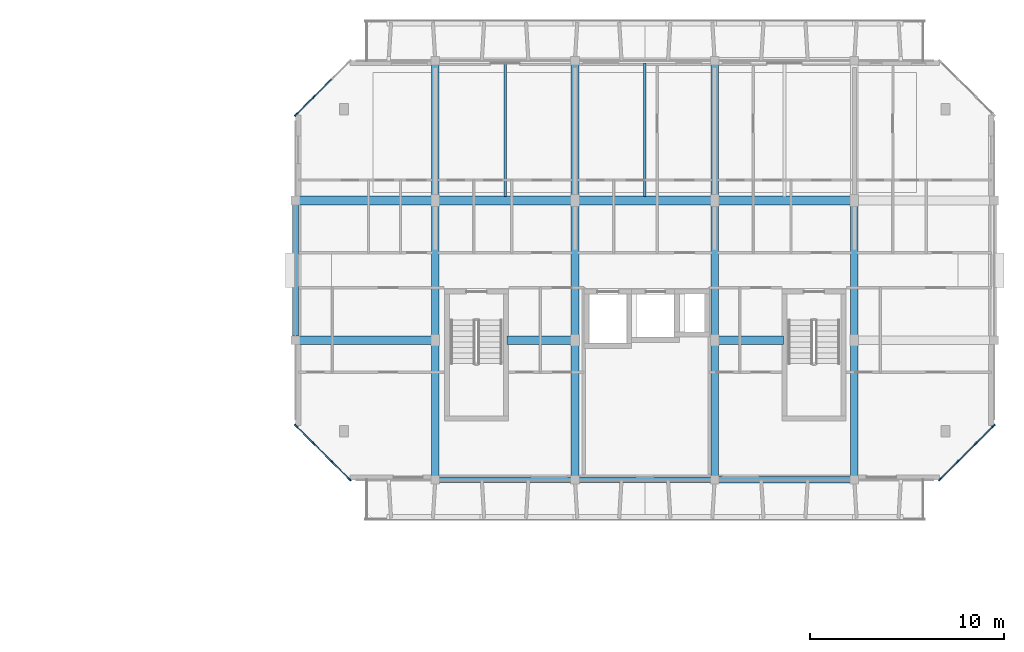
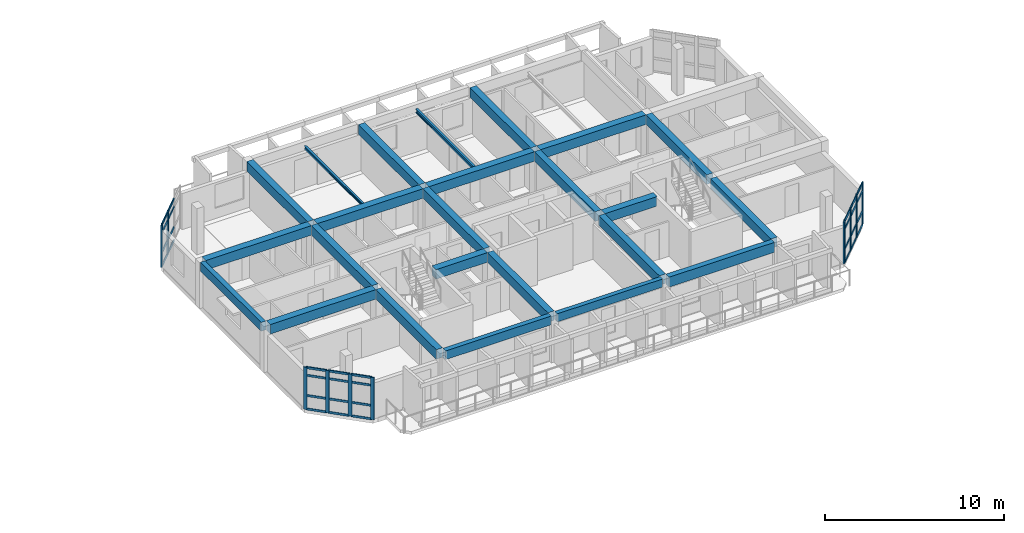
# One storey, part 7 of 30: 42 members, 24 beams, 3 elements without a shape of their own.
"""IFC4 building model written with IfcOpenShell, lengths in metres."""

from ifc_helpers import new_model, si_unit, direction, frame, origin, origin_2d, place, context, subcontext, project, spatial, rectangle, i_section, extrude, material, layer, layer_set, material_profile, profile_set, type_object, element, aggregate, save


model = new_model("IFC4")

# Units and contexts
model_context = context("Model", 3, precision=1e-05, world=origin(), true_north=direction((0.0, 1.0)))
body_context = subcontext(model_context, "Body", "Model", "MODEL_VIEW")
ifc_project = project(units=[si_unit("LENGTHUNIT", "METRE"), si_unit("AREAUNIT", "SQUARE_METRE"), si_unit("VOLUMEUNIT", "CUBIC_METRE"), si_unit("PLANEANGLEUNIT", "RADIAN"), si_unit("MASSUNIT", "GRAM", prefix="KILO")], contexts=[model_context])

# Site, building, storey
site_placement = place(None, origin())
site = spatial("IfcSite", under=ifc_project, at=site_placement, CompositionType="ELEMENT")
building_placement = place(site_placement, origin())
building = spatial("IfcBuilding", under=site, at=building_placement, Name="Ochrevale Crest", CompositionType="ELEMENT")
storey_placement = place(building_placement, frame((0.0, 0.0, 33.89990234375)))
storey = spatial("IfcBuildingStorey", under=building, at=storey_placement, Name="L10", CompositionType="ELEMENT", Elevation=33.89990234375)

# Beams
ifc_material_1 = material(Name="Precast concrete C50/60", Category="concrete")
ifc_material_profile_1 = material_profile(ifc_material_1, rectangle(XDim=0.39990234375, YDim=0.64990234375, at=origin_2d()), Name="PC 400x650")
ifc_profile_set_1 = profile_set([ifc_material_profile_1], Name="Precast concrete C50/60")
beam_type_1 = type_object("IfcBeamType", Name="BM-PC400x650", PredefinedType="BEAM", material=ifc_profile_set_1)
for number, where, z_axis, x_axis, name in (
    (1, (136.800048828125, 72.205078125, 2.8251953125), (0.0, 1.0, 0.0), (-1.0, 0.0, 0.0), "Block D L10 N-S beam X=136.8"),
    (2, (136.800048828125, 79.405029296875, 2.8251953125), (0.0, 1.0, 0.0), (-1.0, 0.0, 0.0), "Block D L10 N-S beam X=136.8"),
    (3, (136.800048828125, 86.60498046875, 2.8251953125), (0.0, 1.0, 0.0), (-1.0, 0.0, 0.0), "Block D L10 N-S beam X=136.8"),
    (4, (144.0, 72.205078125, 2.8251953125), (0.0, 1.0, 0.0), (-1.0, 0.0, 0.0), "Block D L10 N-S beam X=144.0"),
    (5, (144.0, 79.405029296875, 2.8251953125), (0.0, 1.0, 0.0), (-1.0, 0.0, 0.0), "Block D L10 N-S beam X=144.0"),
    (6, (144.0, 86.60498046875, 2.8251953125), (0.0, 1.0, 0.0), (-1.0, 0.0, 0.0), "Block D L10 N-S beam X=144.0"),
    (7, (151.199951171875, 72.205078125, 2.8251953125), (0.0, 1.0, 0.0), (-1.0, 0.0, 0.0), "Block D L10 N-S beam X=151.2"),
    (8, (151.199951171875, 79.405029296875, 2.8251953125), (0.0, 1.0, 0.0), (-1.0, 0.0, 0.0), "Block D L10 N-S beam X=151.2"),
    (9, (151.199951171875, 86.60498046875, 2.8251953125), (0.0, 1.0, 0.0), (-1.0, 0.0, 0.0), "Block D L10 N-S beam X=151.2"),
    (10, (158.39990234375, 72.205078125, 2.8251953125), (0.0, 1.0, 0.0), (-1.0, 0.0, 0.0), "Block D L10 N-S beam X=158.4"),
    (11, (158.39990234375, 79.405029296875, 2.8251953125), (0.0, 1.0, 0.0), (-1.0, 0.0, 0.0), "Block D L10 N-S beam X=158.4"),
):
    element("IfcBeam", number, at=place(storey_placement, frame(where, z_axis=z_axis, x_axis=x_axis)), inside=storey, type_object=beam_type_1, Name=name, PredefinedType="BEAM", context=body_context, shape_type="SweptSolid", body=[
        extrude(rectangle(XDim=0.39990234375, YDim=0.64990234375, at=origin_2d()), origin(), (0.0, 0.0, 1.0), 6.7900390625),
    ])
ifc_material_2 = material(Name="Concrete C50/60", Category="concrete")
ifc_material_profile_2 = material_profile(ifc_material_2, rectangle(XDim=0.449951171875, YDim=0.64990234375, at=origin_2d()), Name="RC 450x650")
ifc_profile_set_2 = profile_set([ifc_material_profile_2], Name="Concrete C50/60")
beam_type_2 = type_object("IfcBeamType", Name="BM-PG450x650", PredefinedType="USERDEFINED", material=ifc_profile_set_2)
beam_1_placement = place(storey_placement, frame((129.800048828125, 79.199951171875, 2.8251953125), z_axis=(1.0, 0.0, 0.0), x_axis=(0.0, 1.0, 0.0)))
element("IfcBeam", 12, at=beam_1_placement, inside=storey, type_object=beam_type_2, Name="Block D L10 E-W beam Y=79.2", ObjectType="GIRDER", PredefinedType="USERDEFINED", context=body_context, shape_type="SweptSolid", body=[
    extrude(rectangle(XDim=0.449951171875, YDim=0.64990234375, at=origin_2d()), origin(), (0.0, 0.0, 1.0), 6.800048828125),
])
beam_2_placement = place(storey_placement, frame((140.489990234375, 79.199951171875, 2.8251953125), z_axis=(1.0, 0.0, 0.0), x_axis=(0.0, 1.0, 0.0)))
element("IfcBeam", 13, at=beam_2_placement, inside=storey, type_object=beam_type_2, Name="Block D L10 E-W beam Y=79.2", ObjectType="GIRDER", PredefinedType="USERDEFINED", context=body_context, shape_type="SweptSolid", body=[
    extrude(rectangle(XDim=0.449951171875, YDim=0.64990234375, at=origin_2d()), origin(), (0.0, 0.0, 1.0), 3.31005859375),
])
beam_3_placement = place(storey_placement, frame((151.39990234375, 79.199951171875, 2.8251953125), z_axis=(1.0, 0.0, 0.0), x_axis=(0.0, 1.0, 0.0)))
element("IfcBeam", 14, at=beam_3_placement, inside=storey, type_object=beam_type_2, Name="Block D L10 E-W beam Y=79.2", ObjectType="GIRDER", PredefinedType="USERDEFINED", context=body_context, shape_type="SweptSolid", body=[
    extrude(rectangle(XDim=0.449951171875, YDim=0.64990234375, at=origin_2d()), origin(), (0.0, 0.0, 1.0), 3.360107421875),
])
for number, where, z_axis, x_axis, name in (
    (15, (129.800048828125, 86.39990234375, 2.8251953125), (1.0, 0.0, 0.0), (0.0, 1.0, 0.0), "Block D L10 E-W beam Y=86.4"),
    (16, (137.0, 86.39990234375, 2.8251953125), (1.0, 0.0, 0.0), (0.0, 1.0, 0.0), "Block D L10 E-W beam Y=86.4"),
    (17, (144.199951171875, 86.39990234375, 2.8251953125), (1.0, 0.0, 0.0), (0.0, 1.0, 0.0), "Block D L10 E-W beam Y=86.4"),
    (18, (151.39990234375, 86.39990234375, 2.8251953125), (1.0, 0.0, 0.0), (0.0, 1.0, 0.0), "Block D L10 E-W beam Y=86.4"),
):
    element("IfcBeam", number, at=place(storey_placement, frame(where, z_axis=z_axis, x_axis=x_axis)), inside=storey, type_object=beam_type_2, Name=name, ObjectType="GIRDER", PredefinedType="USERDEFINED", context=body_context, shape_type="SweptSolid", body=[
        extrude(rectangle(XDim=0.449951171875, YDim=0.64990234375, at=origin_2d()), origin(), (0.0, 0.0, 1.0), 6.800048828125),
    ])
ifc_material_3 = material(Name="Precast concrete C40/50", Category="concrete")
ifc_material_profile_3 = material_profile(ifc_material_3, rectangle(XDim=0.280029296875, YDim=0.550048828125, at=origin_2d()), Name="PC 280x550")
ifc_profile_set_3 = profile_set([ifc_material_profile_3], Name="Precast concrete C40/50")
beam_type_3 = type_object("IfcBeamType", Name="BM-SP280x550", PredefinedType="SPANDREL", material=ifc_profile_set_3)
beam_4_placement = place(storey_placement, frame((144.199951171875, 72.0, 2.875), z_axis=(1.0, 0.0, 0.0), x_axis=(0.0, 1.0, 0.0)))
element("IfcBeam", 19, at=beam_4_placement, inside=storey, type_object=beam_type_3, Name="Block D L10 E-W beam Y=72.0", PredefinedType="SPANDREL", context=body_context, shape_type="SweptSolid", body=[
    extrude(rectangle(XDim=0.280029296875, YDim=0.550048828125, at=origin_2d()), origin(), (0.0, 0.0, 1.0), 6.800048828125),
])
ifc_material_profile_4 = material_profile(ifc_material_3, rectangle(XDim=0.300048828125, YDim=0.60009765625, at=origin_2d()), Name="PC 300x600")
ifc_profile_set_4 = profile_set([ifc_material_profile_4], Name="Precast concrete C40/50")
beam_type_4 = type_object("IfcBeamType", Name="BM-SP300x600", PredefinedType="SPANDREL", material=ifc_profile_set_4)
beam_5_placement = place(storey_placement, frame((137.0, 72.0, 2.85009765625), z_axis=(1.0, 0.0, 0.0), x_axis=(0.0, 1.0, 0.0)))
element("IfcBeam", 20, at=beam_5_placement, inside=storey, type_object=beam_type_4, Name="Block D L10 E-W beam Y=72.0", PredefinedType="SPANDREL", context=body_context, shape_type="SweptSolid", body=[
    extrude(rectangle(XDim=0.300048828125, YDim=0.60009765625, at=origin_2d()), origin(), (0.0, 0.0, 1.0), 6.800048828125),
])
beam_6_placement = place(storey_placement, frame((129.60009765625, 79.405029296875, 2.85009765625), z_axis=(0.0, 1.0, 0.0), x_axis=(-1.0, 0.0, 0.0)))
element("IfcBeam", 21, at=beam_6_placement, inside=storey, type_object=beam_type_4, Name="Block D L10 N-S beam X=129.6", PredefinedType="SPANDREL", context=body_context, shape_type="SweptSolid", body=[
    extrude(rectangle(XDim=0.300048828125, YDim=0.60009765625, at=origin_2d()), origin(), (0.0, 0.0, 1.0), 6.7900390625),
])
ifc_material_profile_5 = material_profile(ifc_material_3, rectangle(XDim=0.35009765625, YDim=0.679931640625, at=origin_2d()), Name="PC 350x680")
ifc_profile_set_5 = profile_set([ifc_material_profile_5], Name="Precast concrete C40/50")
beam_type_5 = type_object("IfcBeamType", Name="BM-SP350x680", PredefinedType="SPANDREL", material=ifc_profile_set_5)
beam_7_placement = place(storey_placement, frame((151.39990234375, 72.0, 2.81005859375), z_axis=(1.0, 0.0, 0.0), x_axis=(0.0, 1.0, 0.0)))
element("IfcBeam", 22, at=beam_7_placement, inside=storey, type_object=beam_type_5, Name="Block D L10 E-W beam Y=72.0", PredefinedType="SPANDREL", context=body_context, shape_type="SweptSolid", body=[
    extrude(rectangle(XDim=0.35009765625, YDim=0.679931640625, at=origin_2d()), origin(), (0.0, 0.0, 1.0), 6.800048828125),
])
ifc_material_4 = material(Name="Steel S355", Category="steel")
ifc_material_profile_6 = material_profile(ifc_material_4, i_section(OverallWidth=0.134033203125, OverallDepth=0.20703125, WebThickness=0.00634765625, FlangeThickness=0.009521484375, FilletRadius=0.0087890625, at=origin_2d()), Name="200UB29.8")
ifc_profile_set_6 = profile_set([ifc_material_profile_6], Name="Steel S355")
beam_type_6 = type_object("IfcBeamType", Name="BM-UB200B", PredefinedType="JOIST", material=ifc_profile_set_6)
beam_8_placement = place(storey_placement, frame((140.39990234375, 86.613037109375, 2.771484375), z_axis=(0.0, 1.0, 0.0), x_axis=(-1.0, 0.0, 0.0)))
element("IfcBeam", 23, at=beam_8_placement, inside=storey, type_object=beam_type_6, Name="Block D L10 composite plank trimmer beam 2", PredefinedType="JOIST", context=body_context, shape_type="SweptSolid", body=[
    extrude(i_section(OverallWidth=0.134033203125, OverallDepth=0.20703125, WebThickness=0.00634765625, FlangeThickness=0.009521484375, FilletRadius=0.0087890625, at=origin_2d()), origin(), (0.0, 0.0, 1.0), 6.848876953125),
])
ifc_material_profile_7 = material_profile(ifc_material_4, i_section(OverallWidth=0.14599609375, OverallDepth=0.251708984375, WebThickness=0.006103515625, FlangeThickness=0.008544921875, FilletRadius=0.0087890625, at=origin_2d()), Name="250UB31.4")
ifc_profile_set_7 = profile_set([ifc_material_profile_7], Name="Steel S355")
beam_type_7 = type_object("IfcBeamType", Name="BM-UB250A", PredefinedType="JOIST", material=ifc_profile_set_7)
beam_9_placement = place(storey_placement, frame((147.60009765625, 86.613037109375, 2.749267578125), z_axis=(0.0, 1.0, 0.0), x_axis=(-1.0, 0.0, 0.0)))
element("IfcBeam", 24, at=beam_9_placement, inside=storey, type_object=beam_type_7, Name="Block D L10 composite plank trimmer beam 3", PredefinedType="JOIST", context=body_context, shape_type="SweptSolid", body=[
    extrude(i_section(OverallWidth=0.14599609375, OverallDepth=0.251708984375, WebThickness=0.006103515625, FlangeThickness=0.008544921875, FilletRadius=0.0087890625, at=origin_2d()), origin(), (0.0, 0.0, 1.0), 6.85888671875),
])

# Curtain wall, members
ifc_material_5 = material(Name="Anodised aluminium 6063-T5", Category="aluminium")
ifc_layer_1 = layer(ifc_material_5, 0.14990234375)
ifc_layer_set_1 = layer_set([ifc_layer_1], Name="Anodised aluminium 6063-T5")
curtain_wall_type_1 = type_object("IfcCurtainWallType", Name="CW-WG-320x285", PredefinedType="NOTDEFINED", material=ifc_layer_set_1)
curtain_wall_1_placement = place(storey_placement, origin())
curtain_wall_1 = element("IfcCurtainWall", 25, at=curtain_wall_1_placement, inside=storey, type_object=curtain_wall_type_1, Name="Block D L10 chamfered corner wintergarden curtain wall 2", PredefinedType="NOTDEFINED")
ifc_material_profile_8 = material_profile(ifc_material_5, rectangle(XDim=0.074951171875, YDim=0.219970703125, at=origin_2d()), Name="ALU 75x220")
ifc_profile_set_8 = profile_set([ifc_material_profile_8], Name="Anodised aluminium 6063-T5")
member_type_1 = type_object("IfcMemberType", Name="CW-MUL-75x220", PredefinedType="MULLION", material=ifc_profile_set_8)
member_1_placement = place(storey_placement, frame((162.826416015625, 72.026611328125, 0.0), z_axis=(0.0, 0.0, 1.0), x_axis=(-0.707106781187, 0.707106781187, 0.0)))
member_1 = element("IfcMember", 26, at=member_1_placement, type_object=member_type_1, Name="CW17 mullion 1", PredefinedType="MULLION", context=body_context, shape_type="SweptSolid", body=[
    extrude(rectangle(XDim=0.074951171875, YDim=0.219970703125, at=origin_2d()), origin(), (0.0, 0.0, 1.0), 2.875),
])
member_2_placement = place(storey_placement, frame((163.7333984375, 72.933349609375, 0.0), z_axis=(0.0, 0.0, 1.0), x_axis=(-0.707106781187, 0.707106781187, 0.0)))
member_2 = element("IfcMember", 27, at=member_2_placement, type_object=member_type_1, Name="CW17 mullion 2", PredefinedType="MULLION", context=body_context, shape_type="SweptSolid", body=[
    extrude(rectangle(XDim=0.074951171875, YDim=0.219970703125, at=origin_2d()), origin(), (0.0, 0.0, 1.0), 2.875),
])
member_3_placement = place(storey_placement, frame((164.666748046875, 73.86669921875, 0.0), z_axis=(0.0, 0.0, 1.0), x_axis=(-0.707106781187, 0.707106781187, 0.0)))
member_3 = element("IfcMember", 28, at=member_3_placement, type_object=member_type_1, Name="CW17 mullion 3", PredefinedType="MULLION", context=body_context, shape_type="SweptSolid", body=[
    extrude(rectangle(XDim=0.074951171875, YDim=0.219970703125, at=origin_2d()), origin(), (0.0, 0.0, 1.0), 2.875),
])
member_4_placement = place(storey_placement, frame((165.573486328125, 74.7734375, 0.0), z_axis=(0.0, 0.0, 1.0), x_axis=(-0.707106781187, 0.707106781187, 0.0)))
member_4 = element("IfcMember", 29, at=member_4_placement, type_object=member_type_1, Name="CW17 mullion 4", PredefinedType="MULLION", context=body_context, shape_type="SweptSolid", body=[
    extrude(rectangle(XDim=0.074951171875, YDim=0.219970703125, at=origin_2d()), origin(), (0.0, 0.0, 1.0), 2.875),
])

ifc_layer_2 = layer(ifc_material_5, 0.14990234375)
ifc_layer_set_2 = layer_set([ifc_layer_2], Name="Anodised aluminium 6063-T5")
curtain_wall_type_2 = type_object("IfcCurtainWallType", Name="CW-WG-280x285", PredefinedType="NOTDEFINED", material=ifc_layer_set_2)
curtain_wall_2_placement = place(storey_placement, origin())
curtain_wall_2 = element("IfcCurtainWall", 30, at=curtain_wall_2_placement, inside=storey, type_object=curtain_wall_type_2, Name="Block D L10 chamfered corner wintergarden curtain wall 6", PredefinedType="NOTDEFINED")
member_5_placement = place(storey_placement, frame((130.533447265625, 91.7333984375, 0.0), z_axis=(0.0, 0.0, 1.0), x_axis=(0.707106781187, -0.707106781187, 0.0)))
member_5 = element("IfcMember", 31, at=member_5_placement, type_object=member_type_1, Name="CW16 mullion 3", PredefinedType="MULLION", context=body_context, shape_type="SweptSolid", body=[
    extrude(rectangle(XDim=0.074951171875, YDim=0.219970703125, at=origin_2d()), origin(), (0.0, 0.0, 1.0), 2.875),
])
member_6_placement = place(storey_placement, frame((129.62646484375, 90.826416015625, 0.0), z_axis=(0.0, 0.0, 1.0), x_axis=(0.707106781187, -0.707106781187, 0.0)))
member_6 = element("IfcMember", 32, at=member_6_placement, type_object=member_type_1, Name="CW16 mullion 4", PredefinedType="MULLION", context=body_context, shape_type="SweptSolid", body=[
    extrude(rectangle(XDim=0.074951171875, YDim=0.219970703125, at=origin_2d()), origin(), (0.0, 0.0, 1.0), 2.875),
])

ifc_layer_3 = layer(ifc_material_5, 0.14990234375)
ifc_layer_set_3 = layer_set([ifc_layer_3], Name="Anodised aluminium 6063-T5")
curtain_wall_type_3 = type_object("IfcCurtainWallType", Name="CW-WG-360x285", PredefinedType="NOTDEFINED", material=ifc_layer_set_3)
curtain_wall_3_placement = place(storey_placement, origin())
curtain_wall_3 = element("IfcCurtainWall", 33, at=curtain_wall_3_placement, inside=storey, type_object=curtain_wall_type_3, Name="Block D L10 chamfered corner wintergarden curtain wall 8", PredefinedType="NOTDEFINED")
member_7_placement = place(storey_placement, frame((129.62646484375, 74.7734375, 0.0), z_axis=(0.0, 0.0, 1.0), x_axis=(0.707106781187, 0.707106781187, 0.0)))
member_7 = element("IfcMember", 34, at=member_7_placement, type_object=member_type_1, Name="CW18 mullion 1", PredefinedType="MULLION", context=body_context, shape_type="SweptSolid", body=[
    extrude(rectangle(XDim=0.074951171875, YDim=0.219970703125, at=origin_2d()), origin(), (0.0, 0.0, 1.0), 2.875),
])
member_8_placement = place(storey_placement, frame((130.533447265625, 73.86669921875, 0.0), z_axis=(0.0, 0.0, 1.0), x_axis=(0.707106781187, 0.707106781187, 0.0)))
member_8 = element("IfcMember", 35, at=member_8_placement, type_object=member_type_1, Name="CW18 mullion 2", PredefinedType="MULLION", context=body_context, shape_type="SweptSolid", body=[
    extrude(rectangle(XDim=0.074951171875, YDim=0.219970703125, at=origin_2d()), origin(), (0.0, 0.0, 1.0), 2.875),
])
member_9_placement = place(storey_placement, frame((131.466552734375, 72.933349609375, 0.0), z_axis=(0.0, 0.0, 1.0), x_axis=(0.707106781187, 0.707106781187, 0.0)))
member_9 = element("IfcMember", 36, at=member_9_placement, type_object=member_type_1, Name="CW18 mullion 3", PredefinedType="MULLION", context=body_context, shape_type="SweptSolid", body=[
    extrude(rectangle(XDim=0.074951171875, YDim=0.219970703125, at=origin_2d()), origin(), (0.0, 0.0, 1.0), 2.875),
])
member_10_placement = place(storey_placement, frame((132.37353515625, 72.026611328125, 0.0), z_axis=(0.0, 0.0, 1.0), x_axis=(0.707106781187, 0.707106781187, 0.0)))
member_10 = element("IfcMember", 37, at=member_10_placement, type_object=member_type_1, Name="CW18 mullion 4", PredefinedType="MULLION", context=body_context, shape_type="SweptSolid", body=[
    extrude(rectangle(XDim=0.074951171875, YDim=0.219970703125, at=origin_2d()), origin(), (0.0, 0.0, 1.0), 2.875),
])

# Member
ifc_material_profile_9 = material_profile(ifc_material_5, rectangle(XDim=0.06005859375, YDim=0.14990234375, at=origin_2d()), Name="ALU 60x150")
ifc_profile_set_9 = profile_set([ifc_material_profile_9], Name="Anodised aluminium 6063-T5")
member_type_2 = type_object("IfcMemberType", Name="CW-TRN-60x150", PredefinedType="USERDEFINED", material=ifc_profile_set_9)
member_11_placement = place(storey_placement, frame((162.85302734375, 72.052978515625, 0.030029296875), z_axis=(0.707106781187, 0.707106781187, 0.0), x_axis=(-0.707106781187, 0.707106781187, 0.0)))
member_11 = element("IfcMember", 38, at=member_11_placement, type_object=member_type_2, Name="CW17 transom 1.1", ObjectType="TRANSOM", PredefinedType="USERDEFINED", context=body_context, shape_type="SweptSolid", body=[
    extrude(rectangle(XDim=0.06005859375, YDim=0.14990234375, at=origin_2d()), origin(), (0.0, 0.0, 1.0), 1.20751953125),
])

member_12_placement = place(storey_placement, frame((162.85302734375, 72.052978515625, 0.9501953125), z_axis=(0.707106781187, 0.707106781187, 0.0), x_axis=(-0.707106781187, 0.707106781187, 0.0)))
member_12 = element("IfcMember", 39, at=member_12_placement, type_object=member_type_2, Name="CW17 transom 1.2", ObjectType="TRANSOM", PredefinedType="USERDEFINED", context=body_context, shape_type="SweptSolid", body=[
    extrude(rectangle(XDim=0.06005859375, YDim=0.14990234375, at=origin_2d()), origin(), (0.0, 0.0, 1.0), 1.20751953125),
])

member_13_placement = place(storey_placement, frame((162.85302734375, 72.052978515625, 2.3251953125), z_axis=(0.707106781187, 0.707106781187, 0.0), x_axis=(-0.707106781187, 0.707106781187, 0.0)))
member_13 = element("IfcMember", 40, at=member_13_placement, type_object=member_type_2, Name="CW17 transom 1.3", ObjectType="TRANSOM", PredefinedType="USERDEFINED", context=body_context, shape_type="SweptSolid", body=[
    extrude(rectangle(XDim=0.06005859375, YDim=0.14990234375, at=origin_2d()), origin(), (0.0, 0.0, 1.0), 1.20751953125),
])

member_14_placement = place(storey_placement, frame((162.85302734375, 72.052978515625, 2.84521484375), z_axis=(0.707106781187, 0.707106781187, 0.0), x_axis=(-0.707106781187, 0.707106781187, 0.0)))
member_14 = element("IfcMember", 41, at=member_14_placement, type_object=member_type_2, Name="CW17 transom 1.4", ObjectType="TRANSOM", PredefinedType="USERDEFINED", context=body_context, shape_type="SweptSolid", body=[
    extrude(rectangle(XDim=0.06005859375, YDim=0.14990234375, at=origin_2d()), origin(), (0.0, 0.0, 1.0), 1.20751953125),
])

member_15_placement = place(storey_placement, frame((163.759765625, 72.9599609375, 0.030029296875), z_axis=(0.707204833848, 0.707008714926, 0.0), x_axis=(-0.707008714926, 0.707204833848, 0.0)))
member_15 = element("IfcMember", 42, at=member_15_placement, type_object=member_type_2, Name="CW17 transom 2.1", ObjectType="TRANSOM", PredefinedType="USERDEFINED", context=body_context, shape_type="SweptSolid", body=[
    extrude(rectangle(XDim=0.06005859375, YDim=0.14990234375, at=origin_2d()), origin(), (0.0, 0.0, 1.0), 1.244873046875),
])

member_16_placement = place(storey_placement, frame((163.759765625, 72.9599609375, 0.9501953125), z_axis=(0.707204833848, 0.707008714926, 0.0), x_axis=(-0.707008714926, 0.707204833848, 0.0)))
member_16 = element("IfcMember", 43, at=member_16_placement, type_object=member_type_2, Name="CW17 transom 2.2", ObjectType="TRANSOM", PredefinedType="USERDEFINED", context=body_context, shape_type="SweptSolid", body=[
    extrude(rectangle(XDim=0.06005859375, YDim=0.14990234375, at=origin_2d()), origin(), (0.0, 0.0, 1.0), 1.244873046875),
])

member_17_placement = place(storey_placement, frame((163.759765625, 72.9599609375, 2.3251953125), z_axis=(0.707204833848, 0.707008714926, 0.0), x_axis=(-0.707008714926, 0.707204833848, 0.0)))
member_17 = element("IfcMember", 44, at=member_17_placement, type_object=member_type_2, Name="CW17 transom 2.3", ObjectType="TRANSOM", PredefinedType="USERDEFINED", context=body_context, shape_type="SweptSolid", body=[
    extrude(rectangle(XDim=0.06005859375, YDim=0.14990234375, at=origin_2d()), origin(), (0.0, 0.0, 1.0), 1.244873046875),
])

member_18_placement = place(storey_placement, frame((163.759765625, 72.9599609375, 2.84521484375), z_axis=(0.707204833848, 0.707008714926, 0.0), x_axis=(-0.707008714926, 0.707204833848, 0.0)))
member_18 = element("IfcMember", 45, at=member_18_placement, type_object=member_type_2, Name="CW17 transom 2.4", ObjectType="TRANSOM", PredefinedType="USERDEFINED", context=body_context, shape_type="SweptSolid", body=[
    extrude(rectangle(XDim=0.06005859375, YDim=0.14990234375, at=origin_2d()), origin(), (0.0, 0.0, 1.0), 1.244873046875),
])

member_19_placement = place(storey_placement, frame((164.693115234375, 73.89306640625, 0.030029296875), z_axis=(0.707005686502, 0.70720786142, 0.0), x_axis=(-0.70720786142, 0.707005686502, 0.0)))
member_19 = element("IfcMember", 46, at=member_19_placement, type_object=member_type_2, Name="CW17 transom 3.1", ObjectType="TRANSOM", PredefinedType="USERDEFINED", context=body_context, shape_type="SweptSolid", body=[
    extrude(rectangle(XDim=0.06005859375, YDim=0.14990234375, at=origin_2d()), origin(), (0.0, 0.0, 1.0), 1.20751953125),
])

member_20_placement = place(storey_placement, frame((164.693115234375, 73.89306640625, 0.9501953125), z_axis=(0.707005686502, 0.70720786142, 0.0), x_axis=(-0.70720786142, 0.707005686502, 0.0)))
member_20 = element("IfcMember", 47, at=member_20_placement, type_object=member_type_2, Name="CW17 transom 3.2", ObjectType="TRANSOM", PredefinedType="USERDEFINED", context=body_context, shape_type="SweptSolid", body=[
    extrude(rectangle(XDim=0.06005859375, YDim=0.14990234375, at=origin_2d()), origin(), (0.0, 0.0, 1.0), 1.20751953125),
])

member_21_placement = place(storey_placement, frame((164.693115234375, 73.89306640625, 2.3251953125), z_axis=(0.707005686502, 0.70720786142, 0.0), x_axis=(-0.70720786142, 0.707005686502, 0.0)))
member_21 = element("IfcMember", 48, at=member_21_placement, type_object=member_type_2, Name="CW17 transom 3.3", ObjectType="TRANSOM", PredefinedType="USERDEFINED", context=body_context, shape_type="SweptSolid", body=[
    extrude(rectangle(XDim=0.06005859375, YDim=0.14990234375, at=origin_2d()), origin(), (0.0, 0.0, 1.0), 1.20751953125),
])

member_22_placement = place(storey_placement, frame((164.693115234375, 73.89306640625, 2.84521484375), z_axis=(0.707005686502, 0.70720786142, 0.0), x_axis=(-0.70720786142, 0.707005686502, 0.0)))
member_22 = element("IfcMember", 49, at=member_22_placement, type_object=member_type_2, Name="CW17 transom 3.4", ObjectType="TRANSOM", PredefinedType="USERDEFINED", context=body_context, shape_type="SweptSolid", body=[
    extrude(rectangle(XDim=0.06005859375, YDim=0.14990234375, at=origin_2d()), origin(), (0.0, 0.0, 1.0), 1.20751953125),
])

aggregate(curtain_wall_1, [member_1, member_2, member_3, member_4, member_11, member_12, member_13, member_14, member_15, member_16, member_17, member_18, member_19, member_20, member_21, member_22])

member_23_placement = place(storey_placement, frame((131.440185546875, 92.64013671875, 0.030029296875), z_axis=(-0.707106781187, -0.707106781187, 0.0), x_axis=(0.707106781187, -0.707106781187, 0.0)))
member_23 = element("IfcMember", 50, at=member_23_placement, type_object=member_type_2, Name="CW16 transom 2.1", ObjectType="TRANSOM", PredefinedType="USERDEFINED", context=body_context, shape_type="SweptSolid", body=[
    extrude(rectangle(XDim=0.06005859375, YDim=0.14990234375, at=origin_2d()), origin(), (0.0, 0.0, 1.0), 1.2451171875),
])

member_24_placement = place(storey_placement, frame((131.440185546875, 92.64013671875, 0.9501953125), z_axis=(-0.707106781187, -0.707106781187, 0.0), x_axis=(0.707106781187, -0.707106781187, 0.0)))
member_24 = element("IfcMember", 51, at=member_24_placement, type_object=member_type_2, Name="CW16 transom 2.2", ObjectType="TRANSOM", PredefinedType="USERDEFINED", context=body_context, shape_type="SweptSolid", body=[
    extrude(rectangle(XDim=0.06005859375, YDim=0.14990234375, at=origin_2d()), origin(), (0.0, 0.0, 1.0), 1.2451171875),
])

member_25_placement = place(storey_placement, frame((131.440185546875, 92.64013671875, 2.3251953125), z_axis=(-0.707106781187, -0.707106781187, 0.0), x_axis=(0.707106781187, -0.707106781187, 0.0)))
member_25 = element("IfcMember", 52, at=member_25_placement, type_object=member_type_2, Name="CW16 transom 2.3", ObjectType="TRANSOM", PredefinedType="USERDEFINED", context=body_context, shape_type="SweptSolid", body=[
    extrude(rectangle(XDim=0.06005859375, YDim=0.14990234375, at=origin_2d()), origin(), (0.0, 0.0, 1.0), 1.2451171875),
])

member_26_placement = place(storey_placement, frame((131.440185546875, 92.64013671875, 2.84521484375), z_axis=(-0.707106781187, -0.707106781187, 0.0), x_axis=(0.707106781187, -0.707106781187, 0.0)))
member_26 = element("IfcMember", 53, at=member_26_placement, type_object=member_type_2, Name="CW16 transom 2.4", ObjectType="TRANSOM", PredefinedType="USERDEFINED", context=body_context, shape_type="SweptSolid", body=[
    extrude(rectangle(XDim=0.06005859375, YDim=0.14990234375, at=origin_2d()), origin(), (0.0, 0.0, 1.0), 1.2451171875),
])

member_27_placement = place(storey_placement, frame((130.5068359375, 91.706787109375, 0.030029296875), z_axis=(-0.707106781187, -0.707106781187, 0.0), x_axis=(0.707106781187, -0.707106781187, 0.0)))
member_27 = element("IfcMember", 54, at=member_27_placement, type_object=member_type_2, Name="CW16 transom 3.1", ObjectType="TRANSOM", PredefinedType="USERDEFINED", context=body_context, shape_type="SweptSolid", body=[
    extrude(rectangle(XDim=0.06005859375, YDim=0.14990234375, at=origin_2d()), origin(), (0.0, 0.0, 1.0), 1.20751953125),
])

member_28_placement = place(storey_placement, frame((130.5068359375, 91.706787109375, 0.9501953125), z_axis=(-0.707106781187, -0.707106781187, 0.0), x_axis=(0.707106781187, -0.707106781187, 0.0)))
member_28 = element("IfcMember", 55, at=member_28_placement, type_object=member_type_2, Name="CW16 transom 3.2", ObjectType="TRANSOM", PredefinedType="USERDEFINED", context=body_context, shape_type="SweptSolid", body=[
    extrude(rectangle(XDim=0.06005859375, YDim=0.14990234375, at=origin_2d()), origin(), (0.0, 0.0, 1.0), 1.20751953125),
])

member_29_placement = place(storey_placement, frame((130.5068359375, 91.706787109375, 2.3251953125), z_axis=(-0.707106781187, -0.707106781187, 0.0), x_axis=(0.707106781187, -0.707106781187, 0.0)))
member_29 = element("IfcMember", 56, at=member_29_placement, type_object=member_type_2, Name="CW16 transom 3.3", ObjectType="TRANSOM", PredefinedType="USERDEFINED", context=body_context, shape_type="SweptSolid", body=[
    extrude(rectangle(XDim=0.06005859375, YDim=0.14990234375, at=origin_2d()), origin(), (0.0, 0.0, 1.0), 1.20751953125),
])

member_30_placement = place(storey_placement, frame((130.5068359375, 91.706787109375, 2.84521484375), z_axis=(-0.707106781187, -0.707106781187, 0.0), x_axis=(0.707106781187, -0.707106781187, 0.0)))
member_30 = element("IfcMember", 57, at=member_30_placement, type_object=member_type_2, Name="CW16 transom 3.4", ObjectType="TRANSOM", PredefinedType="USERDEFINED", context=body_context, shape_type="SweptSolid", body=[
    extrude(rectangle(XDim=0.06005859375, YDim=0.14990234375, at=origin_2d()), origin(), (0.0, 0.0, 1.0), 1.20751953125),
])

aggregate(curtain_wall_2, [member_5, member_6, member_23, member_24, member_25, member_26, member_27, member_28, member_29, member_30])

member_31_placement = place(storey_placement, frame((129.653076171875, 74.7470703125, 0.030029296875), z_axis=(0.707005686502, -0.70720786142, 0.0), x_axis=(0.70720786142, 0.707005686502, 0.0)))
member_31 = element("IfcMember", 58, at=member_31_placement, type_object=member_type_2, Name="CW18 transom 1.1", ObjectType="TRANSOM", PredefinedType="USERDEFINED", context=body_context, shape_type="SweptSolid", body=[
    extrude(rectangle(XDim=0.06005859375, YDim=0.14990234375, at=origin_2d()), origin(), (0.0, 0.0, 1.0), 1.20751953125),
])

member_32_placement = place(storey_placement, frame((129.653076171875, 74.7470703125, 0.9501953125), z_axis=(0.707005686502, -0.70720786142, 0.0), x_axis=(0.70720786142, 0.707005686502, 0.0)))
member_32 = element("IfcMember", 59, at=member_32_placement, type_object=member_type_2, Name="CW18 transom 1.2", ObjectType="TRANSOM", PredefinedType="USERDEFINED", context=body_context, shape_type="SweptSolid", body=[
    extrude(rectangle(XDim=0.06005859375, YDim=0.14990234375, at=origin_2d()), origin(), (0.0, 0.0, 1.0), 1.20751953125),
])

member_33_placement = place(storey_placement, frame((129.653076171875, 74.7470703125, 2.3251953125), z_axis=(0.707005686502, -0.70720786142, 0.0), x_axis=(0.70720786142, 0.707005686502, 0.0)))
member_33 = element("IfcMember", 60, at=member_33_placement, type_object=member_type_2, Name="CW18 transom 1.3", ObjectType="TRANSOM", PredefinedType="USERDEFINED", context=body_context, shape_type="SweptSolid", body=[
    extrude(rectangle(XDim=0.06005859375, YDim=0.14990234375, at=origin_2d()), origin(), (0.0, 0.0, 1.0), 1.20751953125),
])

member_34_placement = place(storey_placement, frame((129.653076171875, 74.7470703125, 2.84521484375), z_axis=(0.707005686502, -0.70720786142, 0.0), x_axis=(0.70720786142, 0.707005686502, 0.0)))
member_34 = element("IfcMember", 61, at=member_34_placement, type_object=member_type_2, Name="CW18 transom 1.4", ObjectType="TRANSOM", PredefinedType="USERDEFINED", context=body_context, shape_type="SweptSolid", body=[
    extrude(rectangle(XDim=0.06005859375, YDim=0.14990234375, at=origin_2d()), origin(), (0.0, 0.0, 1.0), 1.20751953125),
])

member_35_placement = place(storey_placement, frame((130.559814453125, 73.840087890625, 0.030029296875), z_axis=(0.707204833848, -0.707008714926, 0.0), x_axis=(0.707008714926, 0.707204833848, 0.0)))
member_35 = element("IfcMember", 62, at=member_35_placement, type_object=member_type_2, Name="CW18 transom 2.1", ObjectType="TRANSOM", PredefinedType="USERDEFINED", context=body_context, shape_type="SweptSolid", body=[
    extrude(rectangle(XDim=0.06005859375, YDim=0.14990234375, at=origin_2d()), origin(), (0.0, 0.0, 1.0), 1.244873046875),
])

member_36_placement = place(storey_placement, frame((130.559814453125, 73.840087890625, 0.9501953125), z_axis=(0.707204833848, -0.707008714926, 0.0), x_axis=(0.707008714926, 0.707204833848, 0.0)))
member_36 = element("IfcMember", 63, at=member_36_placement, type_object=member_type_2, Name="CW18 transom 2.2", ObjectType="TRANSOM", PredefinedType="USERDEFINED", context=body_context, shape_type="SweptSolid", body=[
    extrude(rectangle(XDim=0.06005859375, YDim=0.14990234375, at=origin_2d()), origin(), (0.0, 0.0, 1.0), 1.244873046875),
])

member_37_placement = place(storey_placement, frame((130.559814453125, 73.840087890625, 2.3251953125), z_axis=(0.707204833848, -0.707008714926, 0.0), x_axis=(0.707008714926, 0.707204833848, 0.0)))
member_37 = element("IfcMember", 64, at=member_37_placement, type_object=member_type_2, Name="CW18 transom 2.3", ObjectType="TRANSOM", PredefinedType="USERDEFINED", context=body_context, shape_type="SweptSolid", body=[
    extrude(rectangle(XDim=0.06005859375, YDim=0.14990234375, at=origin_2d()), origin(), (0.0, 0.0, 1.0), 1.244873046875),
])

member_38_placement = place(storey_placement, frame((130.559814453125, 73.840087890625, 2.84521484375), z_axis=(0.707204833848, -0.707008714926, 0.0), x_axis=(0.707008714926, 0.707204833848, 0.0)))
member_38 = element("IfcMember", 65, at=member_38_placement, type_object=member_type_2, Name="CW18 transom 2.4", ObjectType="TRANSOM", PredefinedType="USERDEFINED", context=body_context, shape_type="SweptSolid", body=[
    extrude(rectangle(XDim=0.06005859375, YDim=0.14990234375, at=origin_2d()), origin(), (0.0, 0.0, 1.0), 1.244873046875),
])

member_39_placement = place(storey_placement, frame((131.4931640625, 72.90673828125, 0.030029296875), z_axis=(0.707106781187, -0.707106781187, 0.0), x_axis=(0.707106781187, 0.707106781187, 0.0)))
member_39 = element("IfcMember", 66, at=member_39_placement, type_object=member_type_2, Name="CW18 transom 3.1", ObjectType="TRANSOM", PredefinedType="USERDEFINED", context=body_context, shape_type="SweptSolid", body=[
    extrude(rectangle(XDim=0.06005859375, YDim=0.14990234375, at=origin_2d()), origin(), (0.0, 0.0, 1.0), 1.20751953125),
])

member_40_placement = place(storey_placement, frame((131.4931640625, 72.90673828125, 0.9501953125), z_axis=(0.707106781187, -0.707106781187, 0.0), x_axis=(0.707106781187, 0.707106781187, 0.0)))
member_40 = element("IfcMember", 67, at=member_40_placement, type_object=member_type_2, Name="CW18 transom 3.2", ObjectType="TRANSOM", PredefinedType="USERDEFINED", context=body_context, shape_type="SweptSolid", body=[
    extrude(rectangle(XDim=0.06005859375, YDim=0.14990234375, at=origin_2d()), origin(), (0.0, 0.0, 1.0), 1.20751953125),
])

member_41_placement = place(storey_placement, frame((131.4931640625, 72.90673828125, 2.3251953125), z_axis=(0.707106781187, -0.707106781187, 0.0), x_axis=(0.707106781187, 0.707106781187, 0.0)))
member_41 = element("IfcMember", 68, at=member_41_placement, type_object=member_type_2, Name="CW18 transom 3.3", ObjectType="TRANSOM", PredefinedType="USERDEFINED", context=body_context, shape_type="SweptSolid", body=[
    extrude(rectangle(XDim=0.06005859375, YDim=0.14990234375, at=origin_2d()), origin(), (0.0, 0.0, 1.0), 1.20751953125),
])

member_42_placement = place(storey_placement, frame((131.4931640625, 72.90673828125, 2.84521484375), z_axis=(0.707106781187, -0.707106781187, 0.0), x_axis=(0.707106781187, 0.707106781187, 0.0)))
member_42 = element("IfcMember", 69, at=member_42_placement, type_object=member_type_2, Name="CW18 transom 3.4", ObjectType="TRANSOM", PredefinedType="USERDEFINED", context=body_context, shape_type="SweptSolid", body=[
    extrude(rectangle(XDim=0.06005859375, YDim=0.14990234375, at=origin_2d()), origin(), (0.0, 0.0, 1.0), 1.20751953125),
])

aggregate(curtain_wall_3, [member_7, member_8, member_9, member_10, member_31, member_32, member_33, member_34, member_35, member_36, member_37, member_38, member_39, member_40, member_41, member_42])

save(model, "model.ifc")
